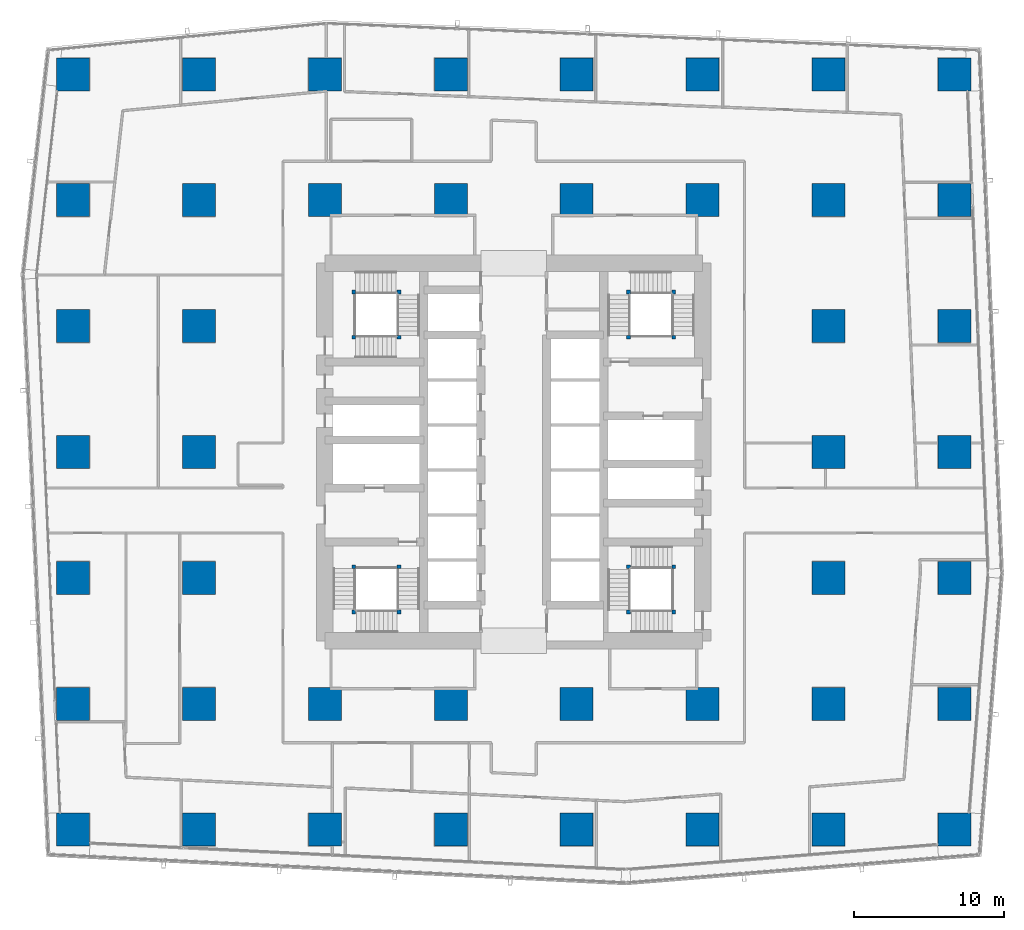
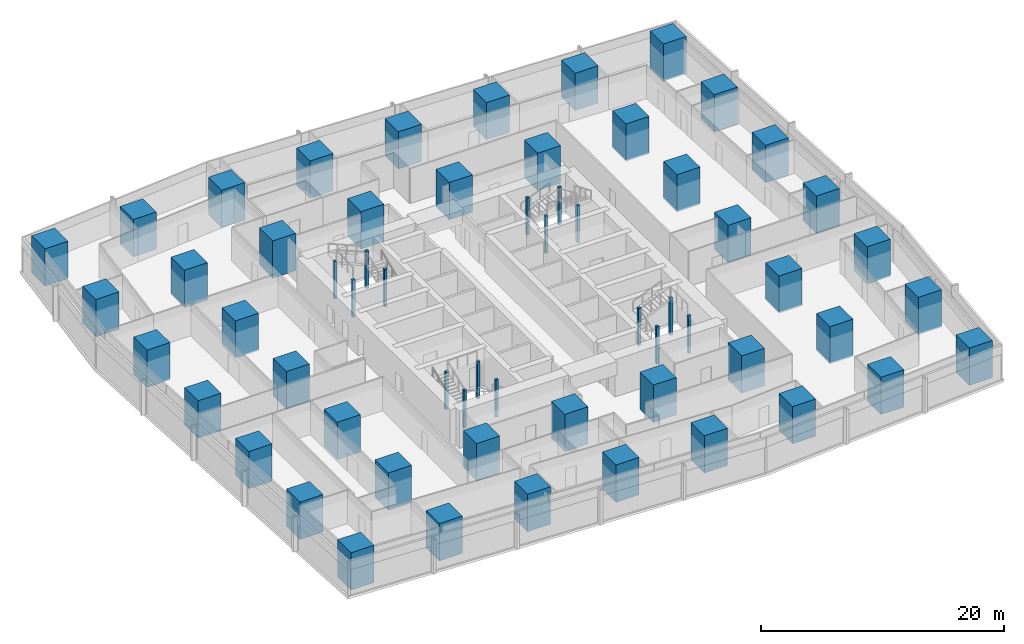
# One storey, part 1 of 45: 60 columns.
"""IFC4 building model written with IfcOpenShell, lengths in metres."""

from ifc_helpers import new_model, si_unit, direction, frame, origin, origin_2d, place, context, subcontext, project, spatial, rectangle, extrude, material, material_profile, profile_set, type_object, element, save


model = new_model("IFC4")

# Units and contexts
model_context = context("Model", 3, precision=1e-05, world=origin(), true_north=direction((0.0, 1.0)))
body_context = subcontext(model_context, "Body", "Model", "MODEL_VIEW")
ifc_project = project(units=[si_unit("LENGTHUNIT", "METRE"), si_unit("AREAUNIT", "SQUARE_METRE"), si_unit("VOLUMEUNIT", "CUBIC_METRE"), si_unit("PLANEANGLEUNIT", "RADIAN"), si_unit("MASSUNIT", "GRAM", prefix="KILO")], contexts=[model_context])

# Site, building, storey
site_placement = place(None, origin())
site = spatial("IfcSite", under=ifc_project, at=site_placement, CompositionType="ELEMENT")
building_placement = place(site_placement, origin())
building = spatial("IfcBuilding", under=site, at=building_placement, Name="Rekha Terrace Tower", CompositionType="ELEMENT")
storey_placement = place(building_placement, frame((0.0, 0.0, 36.64990234375)))
storey = spatial("IfcBuildingStorey", under=building, at=storey_placement, Name="L08", CompositionType="ELEMENT", Elevation=36.64990234375)

# Columns
ifc_material_1 = material(Name="Concrete M70", Category="concrete")
ifc_material_profile_1 = material_profile(ifc_material_1, rectangle(XDim=2.199951171875, YDim=2.199951171875, at=origin_2d()), Name="RC 2200x2200")
ifc_profile_set_1 = profile_set([ifc_material_profile_1], Name="Concrete M70")
column_type_1 = type_object("IfcColumnType", Name="C2 2200x2200 column", PredefinedType="COLUMN", material=ifc_profile_set_1)
for number, where, z_axis, x_axis, name in (
    (1, (8.39990234375, 8.39990234375, 0.0), (0.0, 0.0, 1.0), (1.0, 0.0, 0.0), "Column C2 2/B L08"),
    (2, (8.39990234375, 16.800048828125, 0.0), (0.0, 0.0, 1.0), (1.0, 0.0, 0.0), "Column C2 2/C L08"),
    (3, (8.39990234375, 25.199951171875, 0.0), (0.0, 0.0, 1.0), (1.0, 0.0, 0.0), "Column C2 2/D L08"),
    (4, (8.39990234375, 33.60009765625, 0.0), (0.0, 0.0, 1.0), (1.0, 0.0, 0.0), "Column C2 2/E L08"),
    (5, (8.39990234375, 42.0, 0.0), (0.0, 0.0, 1.0), (1.0, 0.0, 0.0), "Column C2 2/F L08"),
    (6, (8.39990234375, 50.39990234375, 0.0), (0.0, 0.0, 1.0), (1.0, 0.0, 0.0), "Column C2 2/G L08"),
    (7, (8.39990234375, 58.800048828125, 0.0), (0.0, 0.0, 1.0), (1.0, 0.0, 0.0), "Column C2 2/H L08"),
    (8, (16.800048828125, 8.39990234375, 0.0), (0.0, 0.0, 1.0), (1.0, 0.0, 0.0), "Column C2 3/B L08"),
    (9, (16.800048828125, 16.800048828125, 0.0), (0.0, 0.0, 1.0), (1.0, 0.0, 0.0), "Column C2 3/C L08"),
    (10, (16.800048828125, 25.199951171875, 0.0), (0.0, 0.0, 1.0), (1.0, 0.0, 0.0), "Column C2 3/D L08"),
    (11, (16.800048828125, 33.60009765625, 0.0), (0.0, 0.0, 1.0), (1.0, 0.0, 0.0), "Column C2 3/E L08"),
    (12, (16.800048828125, 42.0, 0.0), (0.0, 0.0, 1.0), (1.0, 0.0, 0.0), "Column C2 3/F L08"),
    (13, (16.800048828125, 50.39990234375, 0.0), (0.0, 0.0, 1.0), (1.0, 0.0, 0.0), "Column C2 3/G L08"),
    (14, (16.800048828125, 58.800048828125, 0.0), (0.0, 0.0, 1.0), (1.0, 0.0, 0.0), "Column C2 3/H L08"),
    (15, (25.199951171875, 8.39990234375, 0.0), (0.0, 0.0, 1.0), (1.0, 0.0, 0.0), "Column C2 4/B L08"),
    (16, (25.199951171875, 16.800048828125, 0.0), (0.0, 0.0, 1.0), (1.0, 0.0, 0.0), "Column C2 4/C L08"),
    (17, (25.199951171875, 50.39990234375, 0.0), (0.0, 0.0, 1.0), (1.0, 0.0, 0.0), "Column C2 4/G L08"),
    (18, (25.199951171875, 58.800048828125, 0.0), (0.0, 0.0, 1.0), (1.0, 0.0, 0.0), "Column C2 4/H L08"),
    (19, (33.60009765625, 8.39990234375, 0.0), (0.0, 0.0, 1.0), (1.0, 0.0, 0.0), "Column C2 5/B L08"),
    (20, (33.60009765625, 16.800048828125, 0.0), (0.0, 0.0, 1.0), (1.0, 0.0, 0.0), "Column C2 5/C L08"),
    (21, (33.60009765625, 50.39990234375, 0.0), (0.0, 0.0, 1.0), (1.0, 0.0, 0.0), "Column C2 5/G L08"),
    (22, (33.60009765625, 58.800048828125, 0.0), (0.0, 0.0, 1.0), (1.0, 0.0, 0.0), "Column C2 5/H L08"),
    (23, (42.0, 8.39990234375, 0.0), (0.0, 0.0, 1.0), (1.0, 0.0, 0.0), "Column C2 6/B L08"),
    (24, (42.0, 16.800048828125, 0.0), (0.0, 0.0, 1.0), (1.0, 0.0, 0.0), "Column C2 6/C L08"),
    (25, (42.0, 50.39990234375, 0.0), (0.0, 0.0, 1.0), (1.0, 0.0, 0.0), "Column C2 6/G L08"),
    (26, (42.0, 58.800048828125, 0.0), (0.0, 0.0, 1.0), (1.0, 0.0, 0.0), "Column C2 6/H L08"),
    (27, (50.39990234375, 8.39990234375, 0.0), (0.0, 0.0, 1.0), (1.0, 0.0, 0.0), "Column C2 7/B L08"),
    (28, (50.39990234375, 16.800048828125, 0.0), (0.0, 0.0, 1.0), (1.0, 0.0, 0.0), "Column C2 7/C L08"),
    (29, (50.39990234375, 50.39990234375, 0.0), (0.0, 0.0, 1.0), (1.0, 0.0, 0.0), "Column C2 7/G L08"),
    (30, (50.39990234375, 58.800048828125, 0.0), (0.0, 0.0, 1.0), (1.0, 0.0, 0.0), "Column C2 7/H L08"),
    (31, (58.800048828125, 8.39990234375, 0.0), (0.0, 0.0, 1.0), (1.0, 0.0, 0.0), "Column C2 8/B L08"),
    (32, (58.800048828125, 16.800048828125, 0.0), (0.0, 0.0, 1.0), (1.0, 0.0, 0.0), "Column C2 8/C L08"),
    (33, (58.800048828125, 25.199951171875, 0.0), (0.0, 0.0, 1.0), (1.0, 0.0, 0.0), "Column C2 8/D L08"),
    (34, (58.800048828125, 33.60009765625, 0.0), (0.0, 0.0, 1.0), (1.0, 0.0, 0.0), "Column C2 8/E L08"),
    (35, (58.800048828125, 42.0, 0.0), (0.0, 0.0, 1.0), (1.0, 0.0, 0.0), "Column C2 8/F L08"),
    (36, (58.800048828125, 50.39990234375, 0.0), (0.0, 0.0, 1.0), (1.0, 0.0, 0.0), "Column C2 8/G L08"),
    (37, (58.800048828125, 58.800048828125, 0.0), (0.0, 0.0, 1.0), (1.0, 0.0, 0.0), "Column C2 8/H L08"),
    (38, (67.199951171875, 8.39990234375, 0.0), (0.0, 0.0, 1.0), (1.0, 0.0, 0.0), "Column C2 9/B L08"),
    (39, (67.199951171875, 16.800048828125, 0.0), (0.0, 0.0, 1.0), (1.0, 0.0, 0.0), "Column C2 9/C L08"),
    (40, (67.199951171875, 25.199951171875, 0.0), (0.0, 0.0, 1.0), (1.0, 0.0, 0.0), "Column C2 9/D L08"),
    (41, (67.199951171875, 33.60009765625, 0.0), (0.0, 0.0, 1.0), (1.0, 0.0, 0.0), "Column C2 9/E L08"),
    (42, (67.199951171875, 42.0, 0.0), (0.0, 0.0, 1.0), (1.0, 0.0, 0.0), "Column C2 9/F L08"),
    (43, (67.199951171875, 50.39990234375, 0.0), (0.0, 0.0, 1.0), (1.0, 0.0, 0.0), "Column C2 9/G L08"),
    (44, (67.199951171875, 58.800048828125, 0.0), (0.0, 0.0, 1.0), (1.0, 0.0, 0.0), "Column C2 9/H L08"),
):
    element("IfcColumn", number, at=place(storey_placement, frame(where, z_axis=z_axis, x_axis=x_axis)), inside=storey, type_object=column_type_1, Name=name, PredefinedType="COLUMN", context=body_context, shape_type="SweptSolid", body=[
        extrude(rectangle(XDim=2.199951171875, YDim=2.199951171875, at=origin_2d()), origin(), (0.0, 0.0, 1.0), 3.75),
    ])
ifc_material_2 = material(Name="Concrete M60", Category="concrete")
ifc_material_profile_2 = material_profile(ifc_material_2, rectangle(XDim=0.25, YDim=0.25, at=origin_2d()), Name="RC 250x250")
ifc_profile_set_2 = profile_set([ifc_material_profile_2], Name="Concrete M60")
column_type_2 = type_object("IfcColumnType", Name="NP1 250x250 stair newel post", PredefinedType="COLUMN", material=ifc_profile_set_2)
for number, where, z_axis, x_axis, name in (
    (45, (30.14990234375, 25.949951171875, 0.0), (0.0, 0.0, 1.0), (1.0, 0.0, 0.0), "Stair newel post NP1"),
    (46, (30.14990234375, 22.925048828125, 0.0), (0.0, 0.0, 1.0), (1.0, 0.0, 0.0), "Stair newel post NP1"),
    (47, (27.125, 22.925048828125, 0.0), (0.0, 0.0, 1.0), (1.0, 0.0, 0.0), "Stair newel post NP1"),
    (48, (27.125, 25.949951171875, 0.0), (0.0, 0.0, 1.0), (1.0, 0.0, 0.0), "Stair newel post NP1"),
    (49, (45.449951171875, 41.25, 0.0), (0.0, 0.0, 1.0), (1.0, 0.0, 0.0), "Stair newel post NP1"),
    (50, (45.449951171875, 44.27490234375, 0.0), (0.0, 0.0, 1.0), (1.0, 0.0, 0.0), "Stair newel post NP1"),
    (51, (48.47509765625, 44.27490234375, 0.0), (0.0, 0.0, 1.0), (1.0, 0.0, 0.0), "Stair newel post NP1"),
    (52, (48.47509765625, 41.25, 0.0), (0.0, 0.0, 1.0), (1.0, 0.0, 0.0), "Stair newel post NP1"),
    (53, (48.47509765625, 22.925048828125, 0.0), (0.0, 0.0, 1.0), (1.0, 0.0, 0.0), "Stair newel post NP1"),
    (54, (45.449951171875, 22.925048828125, 0.0), (0.0, 0.0, 1.0), (1.0, 0.0, 0.0), "Stair newel post NP1"),
    (55, (45.449951171875, 25.949951171875, 0.0), (0.0, 0.0, 1.0), (1.0, 0.0, 0.0), "Stair newel post NP1"),
    (56, (48.47509765625, 25.949951171875, 0.0), (0.0, 0.0, 1.0), (1.0, 0.0, 0.0), "Stair newel post NP1"),
    (57, (27.125, 41.25, 0.0), (0.0, 0.0, 1.0), (1.0, 0.0, 0.0), "Stair newel post NP1"),
    (58, (30.14990234375, 41.25, 0.0), (0.0, 0.0, 1.0), (1.0, 0.0, 0.0), "Stair newel post NP1"),
    (59, (30.14990234375, 44.27490234375, 0.0), (0.0, 0.0, 1.0), (1.0, 0.0, 0.0), "Stair newel post NP1"),
    (60, (27.125, 44.27490234375, 0.0), (0.0, 0.0, 1.0), (1.0, 0.0, 0.0), "Stair newel post NP1"),
):
    element("IfcColumn", number, at=place(storey_placement, frame(where, z_axis=z_axis, x_axis=x_axis)), inside=storey, type_object=column_type_2, Name=name, PredefinedType="COLUMN", context=body_context, shape_type="SweptSolid", body=[
        extrude(rectangle(XDim=0.25, YDim=0.25, at=origin_2d()), origin(), (0.0, 0.0, 1.0), 3.75),
    ])

save(model, "model.ifc")
